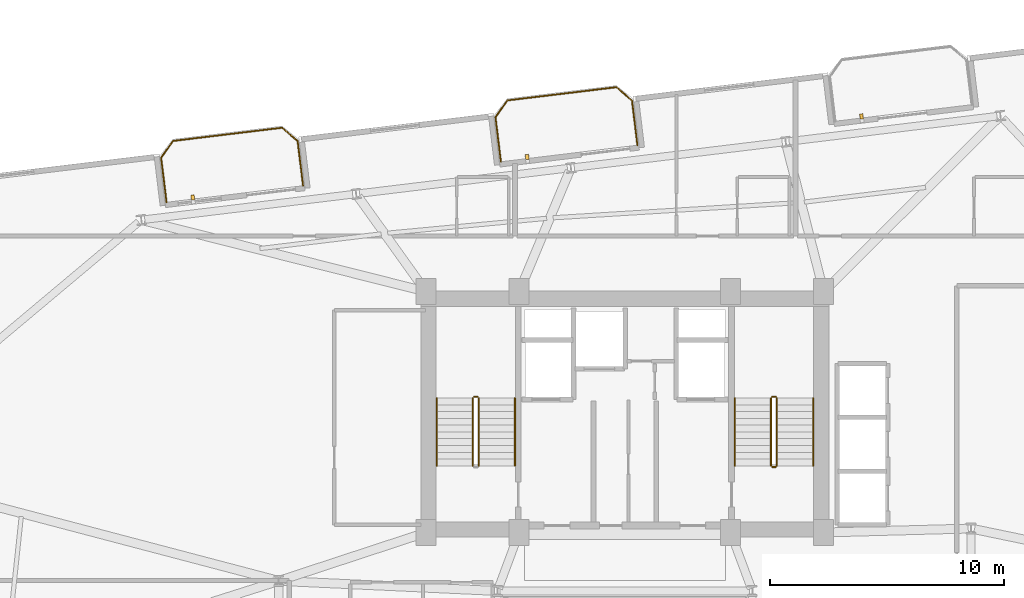
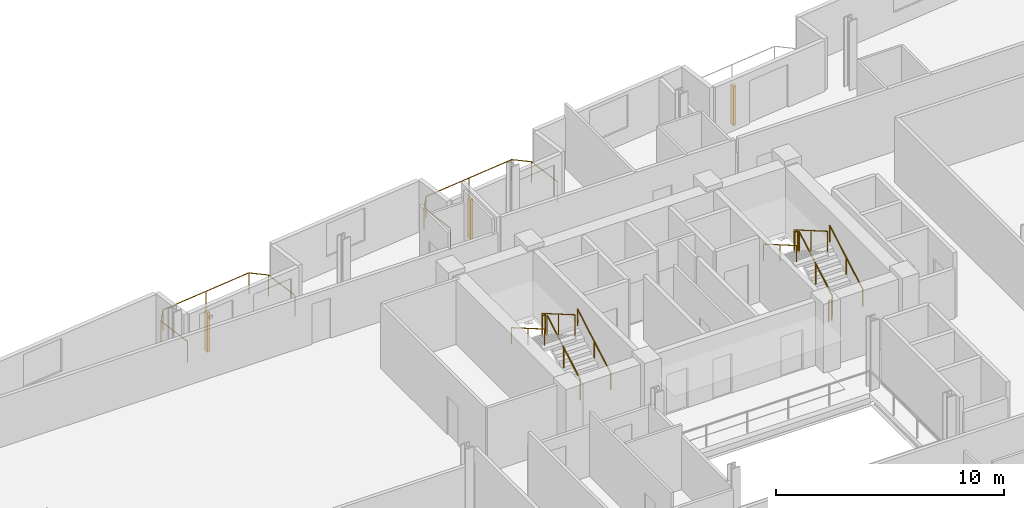
# One storey, part 23 of 24: 13 railings, 3 shading devices.
"""IFC4 building model written with IfcOpenShell, lengths in metres."""

from ifc_helpers import new_model, si_unit, direction, frame, origin, origin_2d, place, context, subcontext, project, spatial, rectangle, circle, extrude, source, transform, mapped, material, type_object, element, save


model = new_model("IFC4")

# Units and contexts
model_context = context("Model", 3, precision=1e-05, world=origin(), true_north=direction((0.0, 1.0)))
body_context = subcontext(model_context, "Body", "Model", "MODEL_VIEW")
ifc_project = project(units=[si_unit("LENGTHUNIT", "METRE"), si_unit("AREAUNIT", "SQUARE_METRE"), si_unit("VOLUMEUNIT", "CUBIC_METRE"), si_unit("PLANEANGLEUNIT", "RADIAN"), si_unit("MASSUNIT", "GRAM", prefix="KILO")], contexts=[model_context])

# Site, building, storey
site_placement = place(None, origin())
site = spatial("IfcSite", under=ifc_project, at=site_placement, CompositionType="ELEMENT")
building_placement = place(site_placement, origin())
building = spatial("IfcBuilding", under=site, at=building_placement, Name="Varnelok Gate Tower", CompositionType="ELEMENT")
storey_placement = place(building_placement, frame((0.0, 0.0, 167.199951171875)))
storey = spatial("IfcBuildingStorey", under=building, at=storey_placement, Name="L42", CompositionType="ELEMENT", Elevation=167.199951171875)

# Railings
ifc_material_1 = material(Name="Low-E Laminated Double Glazing IGU", Category="glass")
railing_type_1 = type_object("IfcRailingType", Name="RL-BALC-1150", PredefinedType="BALUSTRADE", material=ifc_material_1)
railing_1_placement = place(storey_placement, frame((19.603271484375, 42.869384765625, 0.0)))
element("IfcRailing", 1, at=railing_1_placement, inside=storey, type_object=railing_type_1, Name="L42 North Terrace Balustrade 4", PredefinedType="BALUSTRADE", context=body_context, shape_type="SweptSolid", body=[
    extrude(circle(Radius=0.02392578125, at=origin_2d()), frame((0.0, 0.0, 1.1259765625), z_axis=(-0.120418709125, 0.992723191274, 0.0), x_axis=(-0.992723191274, -0.120418709125, 0.0)), (0.0, 0.0, 1.0), 1.919921875),
    extrude(circle(Radius=0.02392578125, at=origin_2d()), frame((-0.231201171875, 1.906005859375, 1.1259765625), z_axis=(0.57815621837, 0.815926091726, 0.0), x_axis=(-0.815926091726, 0.57815621837, 0.0)), (0.0, 0.0, 1.0), 0.8779296875),
    extrude(circle(Radius=0.02392578125, at=origin_2d()), frame((0.2763671875, 2.622314453125, 1.1259765625), z_axis=(0.992730585037, 0.120357739811, 0.0), x_axis=(-0.120357739811, 0.992730585037, 0.0)), (0.0, 0.0, 1.0), 4.699951171875),
    extrude(circle(Radius=0.02392578125, at=origin_2d()), frame((4.942138671875, 3.18798828125, 1.1259765625), z_axis=(0.756285086452, -0.654242208979, 0.0), x_axis=(0.654242208979, 0.756285086452, 0.0)), (0.0, 0.0, 1.0), 0.878173828125),
    extrude(circle(Radius=0.02392578125, at=origin_2d()), frame((5.606201171875, 2.613525390625, 1.1259765625), z_axis=(0.120293392036, -0.992738384386, 0.0), x_axis=(0.992738384386, 0.120293392036, 0.0)), (0.0, 0.0, 1.0), 1.919921875),
    extrude(circle(Radius=0.02099609375, at=origin_2d()), origin(), (0.0, 0.0, 1.0), 1.101806640625),
    extrude(circle(Radius=0.02099609375, at=origin_2d()), frame((-0.231201171875, 1.906005859375, 0.0)), (0.0, 0.0, 1.0), 1.101806640625),
    extrude(circle(Radius=0.02099609375, at=origin_2d()), frame((0.2763671875, 2.622314453125, 0.0)), (0.0, 0.0, 1.0), 1.101806640625),
    extrude(circle(Radius=0.02099609375, at=origin_2d()), frame((2.609375, 2.9052734375, 0.0)), (0.0, 0.0, 1.0), 1.101806640625),
    extrude(circle(Radius=0.02099609375, at=origin_2d()), frame((4.942138671875, 3.18798828125, 0.0)), (0.0, 0.0, 1.0), 1.101806640625),
    extrude(circle(Radius=0.02099609375, at=origin_2d()), frame((5.606201171875, 2.613525390625, 0.0)), (0.0, 0.0, 1.0), 1.101806640625),
    extrude(circle(Radius=0.02099609375, at=origin_2d()), frame((5.837158203125, 0.70751953125, 0.0)), (0.0, 0.0, 1.0), 1.101806640625),
])
railing_2_placement = place(storey_placement, frame((33.8984375, 44.602294921875, 0.0)))
element("IfcRailing", 2, at=railing_2_placement, inside=storey, type_object=railing_type_1, Name="L42 North Terrace Balustrade 5", PredefinedType="BALUSTRADE", context=body_context, shape_type="SweptSolid", body=[
    extrude(circle(Radius=0.02392578125, at=origin_2d()), frame((0.0, 0.0, 1.1259765625), z_axis=(-0.120293392036, 0.992738384386, 0.0), x_axis=(-0.992738384386, -0.120293392036, 0.0)), (0.0, 0.0, 1.0), 1.919921875),
    extrude(circle(Radius=0.02392578125, at=origin_2d()), frame((-0.23095703125, 1.906005859375, 1.1259765625), z_axis=(0.57815621837, 0.815926091726, 0.0), x_axis=(-0.815926091726, 0.57815621837, 0.0)), (0.0, 0.0, 1.0), 0.8779296875),
    extrude(circle(Radius=0.02392578125, at=origin_2d()), frame((0.276611328125, 2.622314453125, 1.1259765625), z_axis=(0.992730585037, 0.120357739811, 0.0), x_axis=(-0.120357739811, 0.992730585037, 0.0)), (0.0, 0.0, 1.0), 4.699951171875),
    extrude(circle(Radius=0.02392578125, at=origin_2d()), frame((4.9423828125, 3.18798828125, 1.1259765625), z_axis=(0.756303655992, -0.654220742513, 0.0), x_axis=(0.654220742513, 0.756303655992, 0.0)), (0.0, 0.0, 1.0), 0.877685546875),
    extrude(circle(Radius=0.02392578125, at=origin_2d()), frame((5.606201171875, 2.61376953125, 1.1259765625), z_axis=(0.12040351024, -0.992725034802, 0.0), x_axis=(0.992725034802, 0.12040351024, 0.0)), (0.0, 0.0, 1.0), 1.920166015625),
    extrude(circle(Radius=0.02099609375, at=origin_2d()), origin(), (0.0, 0.0, 1.0), 1.101806640625),
    extrude(circle(Radius=0.02099609375, at=origin_2d()), frame((-0.23095703125, 1.906005859375, 0.0)), (0.0, 0.0, 1.0), 1.101806640625),
    extrude(circle(Radius=0.02099609375, at=origin_2d()), frame((0.276611328125, 2.622314453125, 0.0)), (0.0, 0.0, 1.0), 1.101806640625),
    extrude(circle(Radius=0.02099609375, at=origin_2d()), frame((2.609375, 2.9052734375, 0.0)), (0.0, 0.0, 1.0), 1.101806640625),
    extrude(circle(Radius=0.02099609375, at=origin_2d()), frame((4.9423828125, 3.18798828125, 0.0)), (0.0, 0.0, 1.0), 1.101806640625),
    extrude(circle(Radius=0.02099609375, at=origin_2d()), frame((5.606201171875, 2.61376953125, 0.0)), (0.0, 0.0, 1.0), 1.101806640625),
    extrude(circle(Radius=0.02099609375, at=origin_2d()), frame((5.83740234375, 0.70751953125, 0.0)), (0.0, 0.0, 1.0), 1.101806640625),
])
ifc_material_2 = material(Name="Brushed Stainless Steel AISI 316", Category="steel")
railing_type_2 = type_object("IfcRailingType", Name="RL-HANDRAIL-900", PredefinedType="HANDRAIL", material=ifc_material_2)
railing_3_placement = place(storey_placement, frame((34.5, 31.60009765625, 0.168212890625)))
element("IfcRailing", 3, at=railing_3_placement, inside=storey, type_object=railing_type_2, Name="L42 ST-1 stair handrail 1", PredefinedType="HANDRAIL", context=body_context, shape_type="SweptSolid", body=[
    extrude(circle(Radius=0.02392578125, at=origin_2d()), frame((0.0, 0.0, 0.8759765625), z_axis=(0.0, 0.865038774852, 0.501705010941), x_axis=(-1.0, 0.0, 0.0)), (0.0, 0.0, 1.0), 3.352294921875),
    extrude(circle(Radius=0.02099609375, at=origin_2d()), origin(), (0.0, 0.0, 1.0), 0.851806640625),
    extrude(circle(Radius=0.02099609375, at=origin_2d()), frame((0.0, 1.449951171875, 0.8408203125)), (0.0, 0.0, 1.0), 0.851806640625),
    extrude(circle(Radius=0.02099609375, at=origin_2d()), frame((0.0, 2.89990234375, 1.681884765625)), (0.0, 0.0, 1.0), 0.851806640625),
])
railing_4_placement = place(storey_placement, frame((31.14990234375, 34.5, 2.018310546875)))
element("IfcRailing", 4, at=railing_4_placement, inside=storey, type_object=railing_type_2, Name="L42 ST-1 stair handrail 2", PredefinedType="HANDRAIL", context=body_context, shape_type="SweptSolid", body=[
    extrude(circle(Radius=0.02392578125, at=origin_2d()), frame((0.0, 0.0, 0.8759765625), z_axis=(0.0, -0.86507038078, 0.501650512107), x_axis=(1.0, 0.0, 0.0)), (0.0, 0.0, 1.0), 3.352294921875),
    extrude(circle(Radius=0.02099609375, at=origin_2d()), origin(), (0.0, 0.0, 1.0), 0.851806640625),
    extrude(circle(Radius=0.02099609375, at=origin_2d()), frame((0.0, -1.449951171875, 0.8408203125)), (0.0, 0.0, 1.0), 0.851806640625),
    extrude(circle(Radius=0.02099609375, at=origin_2d()), frame((0.0, -2.89990234375, 1.681640625)), (0.0, 0.0, 1.0), 0.851806640625),
])
railing_5_placement = place(storey_placement, frame((47.25, 31.60009765625, 0.168212890625)))
element("IfcRailing", 5, at=railing_5_placement, inside=storey, type_object=railing_type_2, Name="L42 ST-2 stair handrail 1", PredefinedType="HANDRAIL", context=body_context, shape_type="SweptSolid", body=[
    extrude(circle(Radius=0.02392578125, at=origin_2d()), frame((0.0, 0.0, 0.8759765625), z_axis=(0.0, 0.865038774852, 0.501705010941), x_axis=(-1.0, 0.0, 0.0)), (0.0, 0.0, 1.0), 3.352294921875),
    extrude(circle(Radius=0.02099609375, at=origin_2d()), origin(), (0.0, 0.0, 1.0), 0.851806640625),
    extrude(circle(Radius=0.02099609375, at=origin_2d()), frame((0.0, 1.449951171875, 0.8408203125)), (0.0, 0.0, 1.0), 0.851806640625),
    extrude(circle(Radius=0.02099609375, at=origin_2d()), frame((0.0, 2.89990234375, 1.681884765625)), (0.0, 0.0, 1.0), 0.851806640625),
])
railing_6_placement = place(storey_placement, frame((43.89990234375, 34.5, 2.018310546875)))
element("IfcRailing", 6, at=railing_6_placement, inside=storey, type_object=railing_type_2, Name="L42 ST-2 stair handrail 2", PredefinedType="HANDRAIL", context=body_context, shape_type="SweptSolid", body=[
    extrude(circle(Radius=0.02392578125, at=origin_2d()), frame((0.0, 0.0, 0.8759765625), z_axis=(0.0, -0.86507038078, 0.501650512107), x_axis=(1.0, 0.0, 0.0)), (0.0, 0.0, 1.0), 3.352294921875),
    extrude(circle(Radius=0.02099609375, at=origin_2d()), origin(), (0.0, 0.0, 1.0), 0.851806640625),
    extrude(circle(Radius=0.02099609375, at=origin_2d()), frame((0.0, -1.449951171875, 0.8408203125)), (0.0, 0.0, 1.0), 0.851806640625),
    extrude(circle(Radius=0.02099609375, at=origin_2d()), frame((0.0, -2.89990234375, 1.681640625)), (0.0, 0.0, 1.0), 0.851806640625),
])
ifc_material_3 = material(Name="Galvanized Steel Grade S350GD", Category="steel")
railing_type_3 = type_object("IfcRailingType", Name="RL-STAIR-GUARD1120", PredefinedType="GUARDRAIL", material=ifc_material_3)
railing_7_placement = place(storey_placement, frame((32.949951171875, 31.60009765625, 0.168212890625)))
element("IfcRailing", 7, at=railing_7_placement, inside=storey, type_object=railing_type_3, Name="L42 ST-1 stair guard 1", PredefinedType="GUARDRAIL", context=body_context, shape_type="SweptSolid", body=[
    extrude(circle(Radius=0.02392578125, at=origin_2d()), frame((0.0, 0.0, 1.09619140625), z_axis=(0.0, 0.865038774852, 0.501705010941), x_axis=(-1.0, 0.0, 0.0)), (0.0, 0.0, 1.0), 3.352294921875),
    extrude(circle(Radius=0.02099609375, at=origin_2d()), origin(), (0.0, 0.0, 1.0), 1.072021484375),
    extrude(circle(Radius=0.02099609375, at=origin_2d()), frame((0.0, 1.449951171875, 0.8408203125)), (0.0, 0.0, 1.0), 1.072021484375),
    extrude(circle(Radius=0.02099609375, at=origin_2d()), frame((0.0, 2.89990234375, 1.681884765625)), (0.0, 0.0, 1.0), 1.072021484375),
])
railing_8_placement = place(storey_placement, frame((32.89990234375, 34.550048828125, 1.85009765625)))
element("IfcRailing", 8, at=railing_8_placement, inside=storey, type_object=railing_type_3, Name="L42 ST-1 stair guard 2", PredefinedType="GUARDRAIL", context=body_context, shape_type="SweptSolid", body=[
    extrude(circle(Radius=0.02392578125, at=origin_2d()), frame((0.0, 0.0, 1.09619140625), z_axis=(-1.0, 0.0, 0.0), x_axis=(0.0, -1.0, 0.0)), (0.0, 0.0, 1.0), 0.14990234375),
    extrude(circle(Radius=0.02099609375, at=origin_2d()), origin(), (0.0, 0.0, 1.0), 1.072021484375),
    extrude(circle(Radius=0.02099609375, at=origin_2d()), frame((-0.14990234375, 0.0, 0.0)), (0.0, 0.0, 1.0), 1.072021484375),
])
railing_9_placement = place(storey_placement, frame((32.699951171875, 34.5, 2.018310546875)))
element("IfcRailing", 9, at=railing_9_placement, inside=storey, type_object=railing_type_3, Name="L42 ST-1 stair guard 3", PredefinedType="GUARDRAIL", context=body_context, shape_type="SweptSolid", body=[
    extrude(circle(Radius=0.02392578125, at=origin_2d()), frame((0.0, 0.0, 1.09619140625), z_axis=(0.0, -0.86507038078, 0.501650512107), x_axis=(1.0, 0.0, 0.0)), (0.0, 0.0, 1.0), 3.352294921875),
    extrude(circle(Radius=0.02099609375, at=origin_2d()), origin(), (0.0, 0.0, 1.0), 1.072021484375),
    extrude(circle(Radius=0.02099609375, at=origin_2d()), frame((0.0, -1.449951171875, 0.8408203125)), (0.0, 0.0, 1.0), 1.072021484375),
    extrude(circle(Radius=0.02099609375, at=origin_2d()), frame((0.0, -2.89990234375, 1.681640625)), (0.0, 0.0, 1.0), 1.072021484375),
])
railing_10_placement = place(storey_placement, frame((45.699951171875, 31.60009765625, 0.168212890625)))
element("IfcRailing", 10, at=railing_10_placement, inside=storey, type_object=railing_type_3, Name="L42 ST-2 stair guard 1", PredefinedType="GUARDRAIL", context=body_context, shape_type="SweptSolid", body=[
    extrude(circle(Radius=0.02392578125, at=origin_2d()), frame((0.0, 0.0, 1.09619140625), z_axis=(0.0, 0.865038774852, 0.501705010941), x_axis=(-1.0, 0.0, 0.0)), (0.0, 0.0, 1.0), 3.352294921875),
    extrude(circle(Radius=0.02099609375, at=origin_2d()), origin(), (0.0, 0.0, 1.0), 1.072021484375),
    extrude(circle(Radius=0.02099609375, at=origin_2d()), frame((0.0, 1.449951171875, 0.8408203125)), (0.0, 0.0, 1.0), 1.072021484375),
    extrude(circle(Radius=0.02099609375, at=origin_2d()), frame((0.0, 2.89990234375, 1.681884765625)), (0.0, 0.0, 1.0), 1.072021484375),
])
railing_11_placement = place(storey_placement, frame((45.64990234375, 34.550048828125, 1.85009765625)))
element("IfcRailing", 11, at=railing_11_placement, inside=storey, type_object=railing_type_3, Name="L42 ST-2 stair guard 2", PredefinedType="GUARDRAIL", context=body_context, shape_type="SweptSolid", body=[
    extrude(circle(Radius=0.02392578125, at=origin_2d()), frame((0.0, 0.0, 1.09619140625), z_axis=(-1.0, 0.0, 0.0), x_axis=(0.0, -1.0, 0.0)), (0.0, 0.0, 1.0), 0.14990234375),
    extrude(circle(Radius=0.02099609375, at=origin_2d()), origin(), (0.0, 0.0, 1.0), 1.072021484375),
    extrude(circle(Radius=0.02099609375, at=origin_2d()), frame((-0.14990234375, 0.0, 0.0)), (0.0, 0.0, 1.0), 1.072021484375),
])
railing_12_placement = place(storey_placement, frame((45.449951171875, 34.5, 2.018310546875)))
element("IfcRailing", 12, at=railing_12_placement, inside=storey, type_object=railing_type_3, Name="L42 ST-2 stair guard 3", PredefinedType="GUARDRAIL", context=body_context, shape_type="SweptSolid", body=[
    extrude(circle(Radius=0.02392578125, at=origin_2d()), frame((0.0, 0.0, 1.09619140625), z_axis=(0.0, -0.86507038078, 0.501650512107), x_axis=(1.0, 0.0, 0.0)), (0.0, 0.0, 1.0), 3.352294921875),
    extrude(circle(Radius=0.02099609375, at=origin_2d()), origin(), (0.0, 0.0, 1.0), 1.072021484375),
    extrude(circle(Radius=0.02099609375, at=origin_2d()), frame((0.0, -1.449951171875, 0.8408203125)), (0.0, 0.0, 1.0), 1.072021484375),
    extrude(circle(Radius=0.02099609375, at=origin_2d()), frame((0.0, -2.89990234375, 1.681640625)), (0.0, 0.0, 1.0), 1.072021484375),
])
railing_13_placement = place(storey_placement, frame((45.64990234375, 31.550048828125, 0.0)))
element("IfcRailing", 13, at=railing_13_placement, inside=storey, type_object=railing_type_3, Name="L42 ST-2 stair guard 4", PredefinedType="GUARDRAIL", context=body_context, shape_type="SweptSolid", body=[
    extrude(circle(Radius=0.02392578125, at=origin_2d()), frame((0.0, 0.0, 1.09619140625), z_axis=(-1.0, 0.0, 0.0), x_axis=(0.0, -1.0, 0.0)), (0.0, 0.0, 1.0), 0.14990234375),
    extrude(circle(Radius=0.02099609375, at=origin_2d()), origin(), (0.0, 0.0, 1.0), 1.072021484375),
    extrude(circle(Radius=0.02099609375, at=origin_2d()), frame((-0.14990234375, 0.0, 0.0)), (0.0, 0.0, 1.0), 1.072021484375),
])

# Shading devices
ifc_material_4 = material(Name="Glazed Architectural Terracotta Ceramic", Category="masonry")
shading_device_type = type_object("IfcShadingDeviceType", Name="SHD-TERRA-BAGUETTE", PredefinedType="USERDEFINED", material=ifc_material_4)
shared_shape = source(origin(), body_context, "Body", "SweptSolid", [
    extrude(rectangle(XDim=0.139892578125, YDim=0.219970703125, at=origin_2d()), origin(), (0.0, 0.0, 1.0), 2.10009765625),
])
for number, where, z_axis, x_axis, name in (
    (14, (20.7265625, 43.075927734375, 0.10009765625), (0.0, 0.0, 1.0), (0.992732158755, 0.12034475881, 0.0), "L42 Terracotta Ceramic Baguette Sunscreen 4.1"),
    (15, (35.021728515625, 44.80908203125, 0.10009765625), (0.0, 0.0, 1.0), (0.992732158755, 0.12034475881, 0.0), "L42 Terracotta Ceramic Baguette Sunscreen 5.1"),
    (16, (49.317138671875, 46.5419921875, 0.10009765625), (0.0, 0.0, 1.0), (0.992732158755, 0.12034475881, 0.0), "L42 Terracotta Ceramic Baguette Sunscreen 6.1"),
):
    element("IfcShadingDevice", number, at=place(storey_placement, frame(where, z_axis=z_axis, x_axis=x_axis)), inside=storey, type_object=shading_device_type, Name=name, ObjectType="BAGUETTE", PredefinedType="USERDEFINED", context=body_context, shape_type="MappedRepresentation", body=[
        mapped(shared_shape, transform((0.0, 0.0, 0.0), scale=1.0)),
    ])

save(model, "model.ifc")
